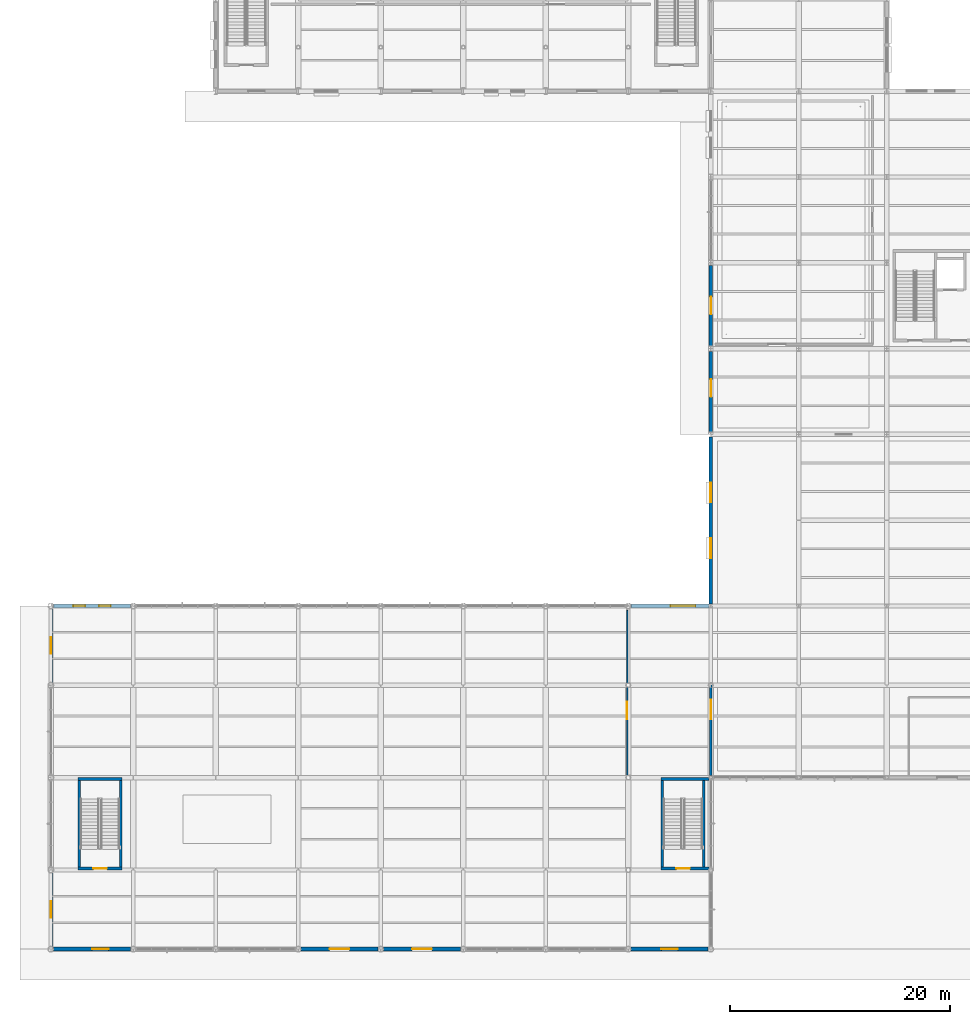
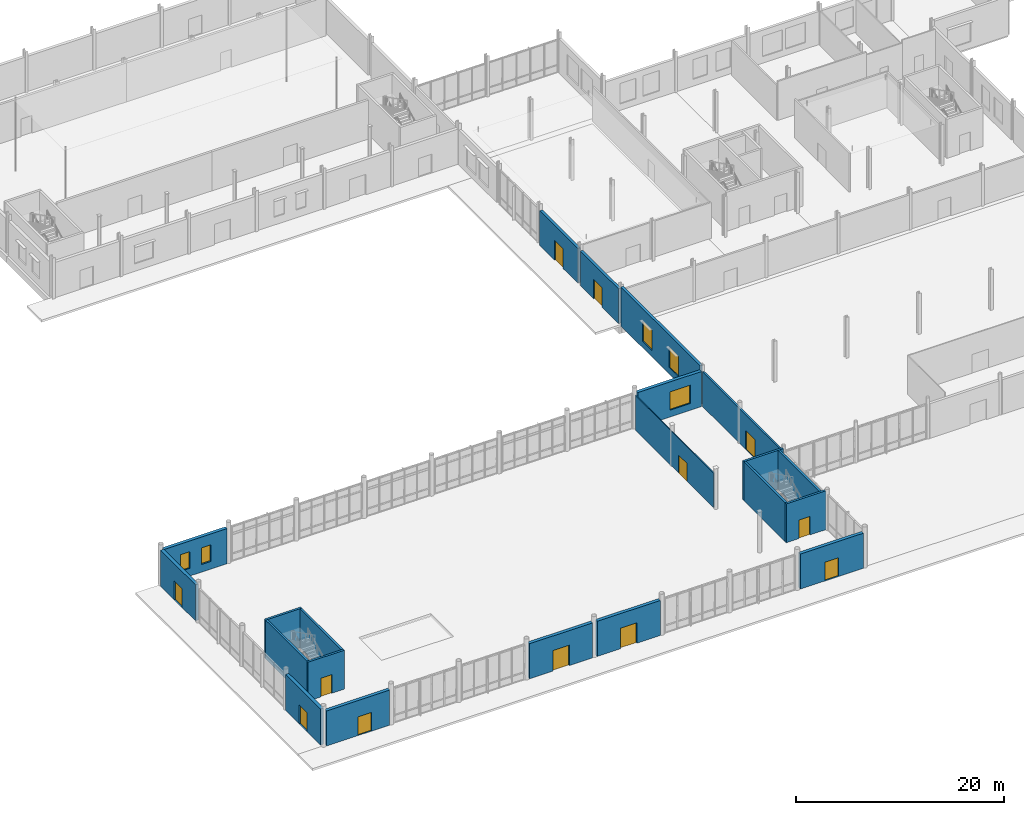
# One storey, part 53 of 82: 21 walls, 12 doors, 5 windows, 17 openings.
"""IFC4 building model written with IfcOpenShell, lengths in metres."""

import ifcopenshell
import ifcopenshell.guid

model = None  # the IFC model being written
_history = None  # IfcOwnerHistory: only IFC2X3 demands one
_inside = {}  # id of a spatial element -> (the spatial element, [elements in it])
_under = {}  # id of a project, library or spatial element -> (it, [spatial elements below it])
_declared = {}  # id of a project -> (the project, [libraries it declares])
_typed = {}  # id of a type object -> (the type object, [elements of that type])
_made_of = {}  # id of a material, layer set ... -> (it, [elements and type objects made of it])


def new_model(schema):
    """Start an empty IFC model of exactly this schema.

    Asked for "IFC4X3", IfcOpenShell would pick the latest addendum, in which some entities
    have other attributes; the version numbers below select the first issue.
    IFC2X3 requires an IfcOwnerHistory on every rooted entity: one is made here for all.
    """
    global model, _history
    if schema == "IFC4X3":
        model = ifcopenshell.file(schema_version=(4, 3, 0, 0))
    else:
        model = ifcopenshell.file(schema=schema)
    _inside.clear()
    _under.clear()
    _declared.clear()
    _typed.clear()
    _made_of.clear()
    _history = None
    if model.schema == "IFC2X3":
        org = make("IfcOrganization", Name="unknown")
        user = make(
            "IfcPersonAndOrganization",
            ThePerson=make("IfcPerson", FamilyName="unknown"),
            TheOrganization=org,
        )
        app = make(
            "IfcApplication",
            ApplicationDeveloper=org,
            Version="unknown",
            ApplicationFullName="unknown",
            ApplicationIdentifier="unknown",
        )
        _history = make(
            "IfcOwnerHistory",
            OwningUser=user,
            OwningApplication=app,
            ChangeAction="ADDED",
            CreationDate=0,
        )
    return model


def make(cls, **values):
    """One entity of the class cls with the attributes given. An attribute that is None is left unset."""
    return model.create_entity(
        cls, **{name: value for name, value in values.items() if value is not None}
    )


def rooted(cls, **values):
    """An entity with a GlobalId (a new one), such as an element, a storey or a relation."""
    return make(cls, GlobalId=ifcopenshell.guid.new(), OwnerHistory=_history, **values)


def si_unit(unit_type, name, prefix=None):
    """IfcSIUnit, for example si_unit("LENGTHUNIT", "METRE", prefix="MILLI")."""
    return make("IfcSIUnit", UnitType=unit_type, Prefix=prefix, Name=name)


def assignment(units):
    """IfcUnitAssignment: the units of a project."""
    return None if units is None else make("IfcUnitAssignment", Units=units)


def point(xyz):
    """IfcCartesianPoint."""
    return None if xyz is None else make("IfcCartesianPoint", Coordinates=xyz)


def direction(xyz):
    """IfcDirection."""
    return None if xyz is None else make("IfcDirection", DirectionRatios=xyz)


def frame(location, z_axis=None, x_axis=None):
    """IfcAxis2Placement3D, a coordinate frame: its origin and axes. An axis left out is left unset."""
    return make(
        "IfcAxis2Placement3D",
        Location=point(location),
        Axis=direction(z_axis),
        RefDirection=direction(x_axis),
    )


def frame_2d(location, x_axis=None):
    """IfcAxis2Placement2D, a coordinate frame in the plane: its origin and x axis."""
    return make(
        "IfcAxis2Placement2D", Location=point(location), RefDirection=direction(x_axis)
    )


def origin():
    """The frame at (0, 0, 0) with its axes left unset."""
    return frame((0.0, 0.0, 0.0))


def place(relative_to, where):
    """IfcLocalPlacement: puts the frame where relative to a parent placement (None: the world)."""
    return make(
        "IfcLocalPlacement", PlacementRelTo=relative_to, RelativePlacement=where
    )


def context(
    kind, dimensions, precision=None, world=None, true_north=None, identifier=None
):
    """IfcGeometricRepresentationContext, for example the 3D "Model" context."""
    return make(
        "IfcGeometricRepresentationContext",
        ContextIdentifier=identifier,
        ContextType=kind,
        CoordinateSpaceDimension=dimensions,
        Precision=precision,
        WorldCoordinateSystem=world,
        TrueNorth=true_north,
    )


def subcontext(parent, identifier, kind, view, scale=None):
    """IfcGeometricRepresentationSubContext, for example "Body" below "Model"."""
    return make(
        "IfcGeometricRepresentationSubContext",
        ContextIdentifier=identifier,
        ContextType=kind,
        ParentContext=parent,
        TargetScale=scale,
        TargetView=view,
    )


def project(units=None, contexts=None):
    """IfcProject with its units and contexts."""
    return rooted(
        "IfcProject",
        Name="project",
        RepresentationContexts=contexts,
        UnitsInContext=assignment(units),
    )


def spatial(cls, under=None, at=None, **own):
    """A site, building, storey or space (cls), placed at a placement, below another one or the project."""
    s = rooted(cls, ObjectPlacement=at, **own)
    if under is not None:
        _under.setdefault(under.id(), (under, []))[1].append(s)
    return s


def profile(cls, at=None, kind="AREA", **sizes):
    """A parametric profile (cls). Its sizes go by their IFC names, for example OverallWidth=200.0."""
    return make(cls, ProfileType=kind, Position=at, **sizes)


def rectangle(**sizes):
    """IfcRectangleProfileDef."""
    return profile("IfcRectangleProfileDef", **sizes)


def extrude(swept, where, along, depth):
    """IfcExtrudedAreaSolid: the profile swept, set in the frame where, extruded along a direction by depth."""
    return make(
        "IfcExtrudedAreaSolid",
        SweptArea=swept,
        Position=where,
        ExtrudedDirection=direction(along),
        Depth=depth,
    )


def shape(context_of_items, identifier, shape_type, items):
    """IfcShapeRepresentation: the items that make up one representation, for example the "Body"."""
    return make(
        "IfcShapeRepresentation",
        ContextOfItems=context_of_items,
        RepresentationIdentifier=identifier,
        RepresentationType=shape_type,
        Items=items,
    )


def material(Name=None, Category=None):
    """IfcMaterial."""
    return make("IfcMaterial", Name=Name, Category=Category)


def layer(
    of_material, thickness, ventilated=None, Name=None, Category=None, Priority=None
):
    """IfcMaterialLayer: one layer of a wall or slab, of a material (None: an air gap)."""
    return make(
        "IfcMaterialLayer",
        Material=of_material,
        LayerThickness=thickness,
        IsVentilated=ventilated,
        Name=Name,
        Category=Category,
        Priority=Priority,
    )


def layer_set(layers, Name=None):
    """IfcMaterialLayerSet."""
    return make("IfcMaterialLayerSet", MaterialLayers=layers, LayerSetName=Name)


def made_of(thing, what):
    """Note that an element or type object is made of a material, layer set ...; save() writes the relation."""
    if what is not None:
        _made_of.setdefault(what.id(), (what, []))[1].append(thing)
    return thing


def type_object(cls, material=None, **own):
    """A type object (cls), such as IfcWallType, which elements share."""
    return made_of(rooted(cls, **own), material)


def element(
    cls,
    number,
    at=None,
    inside=None,
    cuts=None,
    type_object=None,
    material=None,
    context=None,
    identifier="Body",
    shape_type=None,
    held_by="IfcProductDefinitionShape",
    body=None,
    shapes=None,
    **own,
):
    """One element of the class cls, such as IfcWall. Its Tag is "e" and its number.

    at: its placement. inside: the storey or other place that contains it. cuts: it is an
    opening in that element (IfcRelVoidsElement). A single representation is given by context,
    identifier, shape_type and body (its items); several are given by shapes. held_by: the class
    of the entity that holds the representations. save() writes the other relations.
    """
    e = rooted(cls, Tag="e%d" % number, ObjectPlacement=at, **own)
    if body is not None:
        shapes = [shape(context, identifier, shape_type, body)]
    if shapes is not None:
        e.Representation = make(held_by, Representations=shapes)
    if inside is not None:
        _inside.setdefault(inside.id(), (inside, []))[1].append(e)
    if cuts is not None:
        rooted(
            "IfcRelVoidsElement", RelatingBuildingElement=cuts, RelatedOpeningElement=e
        )
    if type_object is not None:
        _typed.setdefault(type_object.id(), (type_object, []))[1].append(e)
    return made_of(e, material)


def fill(opening, filler):
    """IfcRelFillsElement: the door or window that sits in an opening."""
    return rooted(
        "IfcRelFillsElement",
        RelatingOpeningElement=opening,
        RelatedBuildingElement=filler,
    )


def aggregate(whole, parts):
    """IfcRelAggregates: a whole, such as a stair, and the parts it consists of."""
    return rooted("IfcRelAggregates", RelatingObject=whole, RelatedObjects=parts)


def save(model, path):
    """Write the relations noted so far, then the file.

    IfcRelAggregates (storeys below a building ...), IfcRelContainedInSpatialStructure (elements
    in a storey), IfcRelDefinesByType, IfcRelAssociatesMaterial and IfcRelDeclares: one each for
    every whole, place, type object, material and project.
    """
    for whole, parts in _under.values():
        aggregate(whole, parts)
    for where, things in _inside.values():
        rooted(
            "IfcRelContainedInSpatialStructure",
            RelatedElements=things,
            RelatingStructure=where,
        )
    for kind, things in _typed.values():
        rooted("IfcRelDefinesByType", RelatedObjects=things, RelatingType=kind)
    for what, things in _made_of.values():
        rooted("IfcRelAssociatesMaterial", RelatedObjects=things, RelatingMaterial=what)
    for by, libraries in _declared.values():
        rooted("IfcRelDeclares", RelatingContext=by, RelatedDefinitions=libraries)
    model.write(path)


model = new_model("IFC4")

# Units and contexts
model_context = context("Model", 3, precision=1e-05, world=origin(), true_north=direction((0.0, 1.0)))
body_context = subcontext(model_context, "Body", "Model", "MODEL_VIEW")
ifc_project = project(units=[si_unit("LENGTHUNIT", "METRE"), si_unit("AREAUNIT", "SQUARE_METRE"), si_unit("VOLUMEUNIT", "CUBIC_METRE"), si_unit("PLANEANGLEUNIT", "RADIAN"), si_unit("MASSUNIT", "GRAM", prefix="KILO")], contexts=[model_context])

# Site, building, storey
site_placement = place(None, origin())
site = spatial("IfcSite", under=ifc_project, at=site_placement, CompositionType="ELEMENT")
building_placement = place(site_placement, origin())
building = spatial("IfcBuilding", under=site, at=building_placement, Name="Yukiwa Park Conservatory and Herbarium", CompositionType="ELEMENT")
storey_placement = place(building_placement, origin())
storey = spatial("IfcBuildingStorey", under=building, at=storey_placement, Name="L00", CompositionType="ELEMENT", Elevation=0.0)

# Wall, opening, door
ifc_material_1 = material(Name="Concrete C50", Category="concrete")
ifc_layer_1 = layer(ifc_material_1, 0.239990234375)
ifc_layer_set_1 = layer_set([ifc_layer_1], Name="Concrete C50")
wall_type_1 = type_object("IfcWallType", Name="WL-CORE-RC240", PredefinedType="SHEAR", material=ifc_layer_set_1)
wall_1_placement = place(storey_placement, frame((2.4599609375, 7.330078125, 0.0), z_axis=(0.0, 0.0, 1.0), x_axis=(1.0, 0.0, 0.0)))
wall_1 = element("IfcWall", 1, at=wall_1_placement, inside=storey, type_object=wall_type_1, Name="L00 core shear wall 105", PredefinedType="SHEAR", context=body_context, shape_type="SweptSolid", body=[
    extrude(rectangle(XDim=4.030029296875, YDim=0.239990234375, at=frame_2d((2.01513671875, 0.0))), origin(), (0.0, 0.0, 1.0), 4.56005859375),
])
opening_1_placement = place(wall_1_placement, frame((1.4150390625, 0.0, 0.0)))
opening_1 = element("IfcOpeningElement", 2, at=opening_1_placement, cuts=wall_1, Name="Opening SD-01", PredefinedType="OPENING", context=body_context, shape_type="SweptSolid", body=[
    extrude(rectangle(XDim=1.219970703125, YDim=2.179931640625, at=frame_2d((0.60986328125, 1.08984375))), frame((0.0, 0.1298828125, 0.0), z_axis=(0.0, -1.0, 0.0), x_axis=(1.0, 0.0, 0.0)), (0.0, 0.0, 1.0), 0.260009765625),
])
ifc_material_2 = material(Name="Steel Q235B", Category="steel")
door_type_1 = type_object("IfcDoorType", Name="DR-STAIR-FD90-1200", OperationType="SINGLE_SWING_LEFT", PredefinedType="DOOR", material=ifc_material_2)
door_1_placement = place(opening_1_placement, origin())
door_1 = element("IfcDoor", 3, at=door_1_placement, inside=storey, type_object=door_type_1, Name="L00 Stairwell ST-C1 fire door", OperationType="SINGLE_SWING_LEFT", OverallHeight=2.179931640625, OverallWidth=1.219970703125, PredefinedType="DOOR", context=body_context, shape_type="SweptSolid", body=[
    extrude(rectangle(XDim=1.219970703125, YDim=2.179931640625, at=frame_2d((0.60986328125, 1.08984375))), frame((0.0, 0.02490234375, 0.0), z_axis=(0.0, -1.0, 0.0), x_axis=(1.0, 0.0, 0.0)), (0.0, 0.0, 1.0), 0.050048828125),
])
fill(opening_1, door_1)

# Walls
wall_2_placement = place(storey_placement, frame((2.4599609375, 15.469970703125, 0.0), z_axis=(0.0, 0.0, 1.0), x_axis=(1.0, 0.0, 0.0)))
element("IfcWall", 4, at=wall_2_placement, inside=storey, type_object=wall_type_1, Name="L00 core shear wall 106", PredefinedType="SHEAR", context=body_context, shape_type="SweptSolid", body=[
    extrude(rectangle(XDim=4.030029296875, YDim=0.239990234375, at=frame_2d((2.01513671875, 0.0))), origin(), (0.0, 0.0, 1.0), 4.56005859375),
])
for number, where, z_axis, x_axis, name in (
    (5, (2.580078125, 7.449951171875, 0.0), (0.0, 0.0, 1.0), (0.0, 1.0, 0.0), "L00 core shear wall 107"),
    (6, (6.3701171875, 7.449951171875, 0.0), (0.0, 0.0, 1.0), (0.0, 1.0, 0.0), "L00 core shear wall 108"),
):
    element("IfcWall", number, at=place(storey_placement, frame(where, z_axis=z_axis, x_axis=x_axis)), inside=storey, type_object=wall_type_1, Name=name, PredefinedType="SHEAR", context=body_context, shape_type="SweptSolid", body=[
        extrude(rectangle(XDim=7.900146484375, YDim=0.239990234375, at=frame_2d((3.9501953125, 0.0))), origin(), (0.0, 0.0, 1.0), 4.56005859375),
    ])

# Wall, opening, door
wall_3_placement = place(storey_placement, frame((55.4599609375, 7.330078125, 0.0), z_axis=(0.0, 0.0, 1.0), x_axis=(1.0, 0.0, 0.0)))
wall_3 = element("IfcWall", 7, at=wall_3_placement, inside=storey, type_object=wall_type_1, Name="L00 core shear wall 109", PredefinedType="SHEAR", context=body_context, shape_type="SweptSolid", body=[
    extrude(rectangle(XDim=4.380126953125, YDim=0.239990234375, at=frame_2d((2.18994140625, 0.0))), origin(), (0.0, 0.0, 1.0), 4.56005859375),
])
opening_2_placement = place(wall_3_placement, frame((1.4150390625, 0.0, 0.0)))
opening_2 = element("IfcOpeningElement", 8, at=opening_2_placement, cuts=wall_3, Name="Opening SD-01", PredefinedType="OPENING", context=body_context, shape_type="SweptSolid", body=[
    extrude(rectangle(XDim=1.219970703125, YDim=2.179931640625, at=frame_2d((0.60986328125, 1.08984375))), frame((0.0, 0.1298828125, 0.0), z_axis=(0.0, -1.0, 0.0), x_axis=(1.0, 0.0, 0.0)), (0.0, 0.0, 1.0), 0.260009765625),
])
door_2_placement = place(opening_2_placement, origin())
door_2 = element("IfcDoor", 9, at=door_2_placement, inside=storey, type_object=door_type_1, Name="L00 Stairwell ST-C2 fire door", OperationType="SINGLE_SWING_LEFT", OverallHeight=2.179931640625, OverallWidth=1.219970703125, PredefinedType="DOOR", context=body_context, shape_type="SweptSolid", body=[
    extrude(rectangle(XDim=1.219970703125, YDim=2.179931640625, at=frame_2d((0.60986328125, 1.08984375))), frame((0.0, 0.02490234375, 0.0), z_axis=(0.0, -1.0, 0.0), x_axis=(1.0, 0.0, 0.0)), (0.0, 0.0, 1.0), 0.050048828125),
])
fill(opening_2, door_2)

# Walls
wall_4_placement = place(storey_placement, frame((55.4599609375, 15.469970703125, 0.0), z_axis=(0.0, 0.0, 1.0), x_axis=(1.0, 0.0, 0.0)))
element("IfcWall", 10, at=wall_4_placement, inside=storey, type_object=wall_type_1, Name="L00 core shear wall 110", PredefinedType="SHEAR", context=body_context, shape_type="SweptSolid", body=[
    extrude(rectangle(XDim=4.380126953125, YDim=0.239990234375, at=frame_2d((2.18994140625, 0.0))), origin(), (0.0, 0.0, 1.0), 4.56005859375),
])
for number, where, z_axis, x_axis, name in (
    (11, (55.580078125, 7.449951171875, 0.0), (0.0, 0.0, 1.0), (0.0, 1.0, 0.0), "L00 core shear wall 111"),
    (12, (59.3701171875, 7.449951171875, 0.0), (0.0, 0.0, 1.0), (0.0, 1.0, 0.0), "L00 core shear wall 112"),
):
    element("IfcWall", number, at=place(storey_placement, frame(where, z_axis=z_axis, x_axis=x_axis)), inside=storey, type_object=wall_type_1, Name=name, PredefinedType="SHEAR", context=body_context, shape_type="SweptSolid", body=[
        extrude(rectangle(XDim=7.900146484375, YDim=0.239990234375, at=frame_2d((3.9501953125, 0.0))), origin(), (0.0, 0.0, 1.0), 4.56005859375),
    ])

# Wall, opening, door
ifc_material_3 = material(Name="Charred Larch Cladding", Category="wood")
ifc_layer_2 = layer(ifc_material_3, 0.2900390625)
ifc_layer_set_2 = layer_set([ifc_layer_2], Name="Charred Larch Cladding")
wall_type_2 = type_object("IfcWallType", Name="WL-EXT-LARCH-290", PredefinedType="SOLIDWALL", material=ifc_layer_set_2)
wall_5_placement = place(storey_placement, frame((60.0, 62.156005859375, 0.0), z_axis=(0.0, 0.0, 1.0), x_axis=(0.0, -1.0, 0.0)))
wall_5 = element("IfcWall", 13, at=wall_5_placement, inside=storey, type_object=wall_type_2, Name="L00 exterior envelope wall 147", PredefinedType="SOLIDWALL", context=body_context, shape_type="SweptSolid", body=[
    extrude(rectangle(XDim=7.31201171875, YDim=0.2900390625, at=frame_2d((3.656005859375, 0.0))), origin(), (0.0, 0.0, 1.0), 4.06591796875),
])
opening_3_placement = place(wall_5_placement, frame((2.85595703125, 0.0, 0.0)))
opening_3 = element("IfcOpeningElement", 14, at=opening_3_placement, cuts=wall_5, Name="Opening EX-D2", PredefinedType="OPENING", context=body_context, shape_type="SweptSolid", body=[
    extrude(rectangle(XDim=1.60009765625, YDim=2.300048828125, at=frame_2d((0.800048828125, 1.14990234375))), frame((0.0, 0.155029296875, 0.0), z_axis=(0.0, -1.0, 0.0), x_axis=(1.0, 0.0, 0.0)), (0.0, 0.0, 1.0), 0.31005859375),
])
ifc_material_4 = material(Name="Anodised Aluminium", Category="aluminium")
door_type_2 = type_object("IfcDoorType", Name="DR-EXT-1600X2300", OperationType="DOUBLE_DOOR_SINGLE_SWING", PredefinedType="DOOR", material=ifc_material_4)
door_3_placement = place(opening_3_placement, frame((1.60009765625, 0.0, 0.0), z_axis=(0.0, 0.0, 1.0), x_axis=(-1.0, 0.0, 0.0)))
door_3 = element("IfcDoor", 15, at=door_3_placement, inside=storey, type_object=door_type_2, Name="Visitor Centre main forecourt entrance EX-10", OperationType="DOUBLE_DOOR_SINGLE_SWING", OverallHeight=2.300048828125, OverallWidth=1.60009765625, PredefinedType="DOOR", context=body_context, shape_type="SweptSolid", body=[
    extrude(rectangle(XDim=1.60009765625, YDim=2.300048828125, at=frame_2d((0.800048828125, 1.14990234375))), frame((0.0, 0.02490234375, 0.0), z_axis=(0.0, -1.0, 0.0), x_axis=(1.0, 0.0, 0.0)), (0.0, 0.0, 1.0), 0.050048828125),
])
fill(opening_3, door_3)

wall_6_placement = place(storey_placement, frame((60.0, 54.35595703125, 0.0), z_axis=(0.0, 0.0, 1.0), x_axis=(0.0, -1.0, 0.0)))
wall_6 = element("IfcWall", 16, at=wall_6_placement, inside=storey, type_object=wall_type_2, Name="L00 exterior envelope wall 148", PredefinedType="SOLIDWALL", context=body_context, shape_type="SweptSolid", body=[
    extrude(rectangle(XDim=7.3359375, YDim=0.2900390625, at=frame_2d((3.66796875, 0.0))), origin(), (0.0, 0.0, 1.0), 4.06591796875),
])
opening_4_placement = place(wall_6_placement, frame((2.555908203125, 0.0, 0.0)))
opening_4 = element("IfcOpeningElement", 17, at=opening_4_placement, cuts=wall_6, Name="Opening EX-D2", PredefinedType="OPENING", context=body_context, shape_type="SweptSolid", body=[
    extrude(rectangle(XDim=1.60009765625, YDim=2.300048828125, at=frame_2d((0.800048828125, 1.14990234375))), frame((0.0, 0.155029296875, 0.0), z_axis=(0.0, -1.0, 0.0), x_axis=(1.0, 0.0, 0.0)), (0.0, 0.0, 1.0), 0.31005859375),
])
door_4_placement = place(opening_4_placement, frame((1.60009765625, 0.0, 0.0), z_axis=(0.0, 0.0, 1.0), x_axis=(-1.0, 0.0, 0.0)))
door_4 = element("IfcDoor", 18, at=door_4_placement, inside=storey, type_object=door_type_2, Name="Visitor Centre West garden court entrance EX-09", OperationType="DOUBLE_DOOR_SINGLE_SWING", OverallHeight=2.300048828125, OverallWidth=1.60009765625, PredefinedType="DOOR", context=body_context, shape_type="SweptSolid", body=[
    extrude(rectangle(XDim=1.60009765625, YDim=2.300048828125, at=frame_2d((0.800048828125, 1.14990234375))), frame((0.0, 0.02490234375, 0.0), z_axis=(0.0, -1.0, 0.0), x_axis=(1.0, 0.0, 0.0)), (0.0, 0.0, 1.0), 0.050048828125),
])
fill(opening_4, door_4)

# Wall, openings, windows
wall_7_placement = place(storey_placement, frame((60.0, 46.580078125, 0.0), z_axis=(0.0, 0.0, 1.0), x_axis=(0.0, -1.0, 0.0)))
wall_7 = element("IfcWall", 19, at=wall_7_placement, inside=storey, type_object=wall_type_2, Name="L00 exterior envelope wall 149", PredefinedType="SOLIDWALL", context=body_context, shape_type="SweptSolid", body=[
    extrude(rectangle(XDim=15.205078125, YDim=0.2900390625, at=frame_2d((7.6025390625, 0.0))), origin(), (0.0, 0.0, 1.0), 4.56005859375),
])
opening_5_placement = place(wall_7_placement, frame((4.16796875, 0.0, 0.75)))
opening_5 = element("IfcOpeningElement", 20, at=opening_5_placement, cuts=wall_7, Name="Opening W-12", PredefinedType="OPENING", context=body_context, shape_type="SweptSolid", body=[
    extrude(rectangle(XDim=1.800048828125, YDim=2.39990234375, at=frame_2d((0.89990234375, 1.199951171875))), frame((0.0, 0.155029296875, 0.0), z_axis=(0.0, -1.0, 0.0), x_axis=(1.0, 0.0, 0.0)), (0.0, 0.0, 1.0), 0.31005859375),
])
opening_6_placement = place(wall_7_placement, frame((9.237060546875, 0.0, 0.75)))
opening_6 = element("IfcOpeningElement", 21, at=opening_6_placement, cuts=wall_7, Name="Opening W-12", PredefinedType="OPENING", context=body_context, shape_type="SweptSolid", body=[
    extrude(rectangle(XDim=1.800048828125, YDim=2.39990234375, at=frame_2d((0.89990234375, 1.199951171875))), frame((0.0, 0.155029296875, 0.0), z_axis=(0.0, -1.0, 0.0), x_axis=(1.0, 0.0, 0.0)), (0.0, 0.0, 1.0), 0.31005859375),
])
ifc_material_5 = material(Name="Triple Low-E Insulated Glass", Category="glass")
window_type_1 = type_object("IfcWindowType", Name="WN-VS-1800X2400", PartitioningType="SINGLE_PANEL", PredefinedType="WINDOW", material=ifc_material_5)
window_1_placement = place(opening_5_placement, origin())
window_1 = element("IfcWindow", 22, at=window_1_placement, inside=storey, type_object=window_type_1, Name="L00 deep-reveal triple-glazed window 42", OverallHeight=2.39990234375, OverallWidth=1.800048828125, PartitioningType="SINGLE_PANEL", PredefinedType="WINDOW", context=body_context, shape_type="SweptSolid", body=[
    extrude(rectangle(XDim=1.800048828125, YDim=2.39990234375, at=frame_2d((0.89990234375, 1.199951171875))), frame((0.0, 0.030029296875, 0.0), z_axis=(0.0, -1.0, 0.0), x_axis=(1.0, 0.0, 0.0)), (0.0, 0.0, 1.0), 0.06005859375),
])
fill(opening_5, window_1)
window_2_placement = place(opening_6_placement, origin())
window_2 = element("IfcWindow", 23, at=window_2_placement, inside=storey, type_object=window_type_1, Name="L00 deep-reveal triple-glazed window 43", OverallHeight=2.39990234375, OverallWidth=1.800048828125, PartitioningType="SINGLE_PANEL", PredefinedType="WINDOW", context=body_context, shape_type="SweptSolid", body=[
    extrude(rectangle(XDim=1.800048828125, YDim=2.39990234375, at=frame_2d((0.89990234375, 1.199951171875))), frame((0.0, 0.030029296875, 0.0), z_axis=(0.0, -1.0, 0.0), x_axis=(1.0, 0.0, 0.0)), (0.0, 0.0, 1.0), 0.06005859375),
])
fill(opening_6, window_2)

# Wall, opening, door
ifc_material_6 = material(Name="Pale Granite Cladding", Category="masonry")
ifc_layer_3 = layer(ifc_material_6, 0.360107421875)
ifc_layer_set_3 = layer_set([ifc_layer_3], Name="Pale Granite Cladding")
wall_type_3 = type_object("IfcWallType", Name="WL-EXT-PLINTH-360", PredefinedType="SOLIDWALL", material=ifc_layer_set_3)
wall_8_placement = place(storey_placement, frame((0.25390625, 0.0, 0.0), z_axis=(0.0, 0.0, 1.0), x_axis=(1.0, 0.0, 0.0)))
wall_8 = element("IfcWall", 24, at=wall_8_placement, inside=storey, type_object=wall_type_3, Name="L00 exterior envelope wall 90", PredefinedType="SOLIDWALL", context=body_context, shape_type="SweptSolid", body=[
    extrude(rectangle(XDim=6.9921875, YDim=0.360107421875, at=frame_2d((3.49609375, 0.0))), origin(), (0.0, 0.0, 1.0), 4.110107421875),
])
opening_7_placement = place(wall_8_placement, frame((3.49609375, 0.0, 0.0)))
opening_7 = element("IfcOpeningElement", 25, at=opening_7_placement, cuts=wall_8, Name="Opening EX-D3", PredefinedType="OPENING", context=body_context, shape_type="SweptSolid", body=[
    extrude(rectangle(XDim=1.5, YDim=2.199951171875, at=frame_2d((0.75, 1.10009765625))), frame((0.0, 0.18994140625, 0.0), z_axis=(0.0, -1.0, 0.0), x_axis=(1.0, 0.0, 0.0)), (0.0, 0.0, 1.0), 0.380126953125),
])
ifc_material_7 = material(Name="Steel Q235B", Category="steel")
door_type_3 = type_object("IfcDoorType", Name="DR-EXT-1500X2200", OperationType="DOUBLE_DOOR_SINGLE_SWING", PredefinedType="DOOR", material=ifc_material_7)
door_5_placement = place(opening_7_placement, frame((1.5, 0.0, 0.0), z_axis=(0.0, 0.0, 1.0), x_axis=(-1.0, 0.0, 0.0)))
door_5 = element("IfcDoor", 26, at=door_5_placement, inside=storey, type_object=door_type_3, Name="Conservatory SW park exit EX-01", OperationType="DOUBLE_DOOR_SINGLE_SWING", OverallHeight=2.199951171875, OverallWidth=1.5, PredefinedType="DOOR", context=body_context, shape_type="SweptSolid", body=[
    extrude(rectangle(XDim=1.5, YDim=2.199951171875, at=frame_2d((0.75, 1.10009765625))), frame((0.0, 0.02490234375, 0.0), z_axis=(0.0, -1.0, 0.0), x_axis=(1.0, 0.0, 0.0)), (0.0, 0.0, 1.0), 0.050048828125),
])
fill(opening_7, door_5)

wall_9_placement = place(storey_placement, frame((22.75390625, 0.0, 0.0), z_axis=(0.0, 0.0, 1.0), x_axis=(1.0, 0.0, 0.0)))
wall_9 = element("IfcWall", 27, at=wall_9_placement, inside=storey, type_object=wall_type_3, Name="L00 exterior envelope wall 91", PredefinedType="SOLIDWALL", context=body_context, shape_type="SweptSolid", body=[
    extrude(rectangle(XDim=6.9921875, YDim=0.360107421875, at=frame_2d((3.49609375, 0.0))), origin(), (0.0, 0.0, 1.0), 4.110107421875),
])
opening_8_placement = place(wall_9_placement, frame((2.595947265625, 0.0, 0.0)))
opening_8 = element("IfcOpeningElement", 28, at=opening_8_placement, cuts=wall_9, Name="Opening EX-D1", PredefinedType="OPENING", context=body_context, shape_type="SweptSolid", body=[
    extrude(rectangle(XDim=1.800048828125, YDim=2.39990234375, at=frame_2d((0.89990234375, 1.199951171875))), frame((0.0, 0.18994140625, 0.0), z_axis=(0.0, -1.0, 0.0), x_axis=(1.0, 0.0, 0.0)), (0.0, 0.0, 1.0), 0.380126953125),
])
ifc_material_8 = material(Name="Anodised Aluminium", Category="aluminium")
door_type_4 = type_object("IfcDoorType", Name="DR-EXT-1800X2400", OperationType="DOUBLE_DOOR_SINGLE_SWING", PredefinedType="DOOR", material=ifc_material_8)
door_6_placement = place(opening_8_placement, frame((1.800048828125, 0.0, 0.0), z_axis=(0.0, 0.0, 1.0), x_axis=(-1.0, 0.0, 0.0)))
door_6 = element("IfcDoor", 29, at=door_6_placement, inside=storey, type_object=door_type_4, Name="Conservatory South garden entrance EX-02", OperationType="DOUBLE_DOOR_SINGLE_SWING", OverallHeight=2.39990234375, OverallWidth=1.800048828125, PredefinedType="DOOR", context=body_context, shape_type="SweptSolid", body=[
    extrude(rectangle(XDim=1.800048828125, YDim=2.39990234375, at=frame_2d((0.89990234375, 1.199951171875))), frame((0.0, 0.02490234375, 0.0), z_axis=(0.0, -1.0, 0.0), x_axis=(1.0, 0.0, 0.0)), (0.0, 0.0, 1.0), 0.050048828125),
])
fill(opening_8, door_6)

wall_10_placement = place(storey_placement, frame((30.25390625, 0.0, 0.0), z_axis=(0.0, 0.0, 1.0), x_axis=(1.0, 0.0, 0.0)))
wall_10 = element("IfcWall", 30, at=wall_10_placement, inside=storey, type_object=wall_type_3, Name="L00 exterior envelope wall 92", PredefinedType="SOLIDWALL", context=body_context, shape_type="SweptSolid", body=[
    extrude(rectangle(XDim=6.9921875, YDim=0.360107421875, at=frame_2d((3.49609375, 0.0))), origin(), (0.0, 0.0, 1.0), 4.110107421875),
])
opening_9_placement = place(wall_10_placement, frame((2.595947265625, 0.0, 0.0)))
opening_9 = element("IfcOpeningElement", 31, at=opening_9_placement, cuts=wall_10, Name="Opening EX-D1", PredefinedType="OPENING", context=body_context, shape_type="SweptSolid", body=[
    extrude(rectangle(XDim=1.800048828125, YDim=2.39990234375, at=frame_2d((0.89990234375, 1.199951171875))), frame((0.0, 0.18994140625, 0.0), z_axis=(0.0, -1.0, 0.0), x_axis=(1.0, 0.0, 0.0)), (0.0, 0.0, 1.0), 0.380126953125),
])
door_7_placement = place(opening_9_placement, frame((1.800048828125, 0.0, 0.0), z_axis=(0.0, 0.0, 1.0), x_axis=(-1.0, 0.0, 0.0)))
door_7 = element("IfcDoor", 32, at=door_7_placement, inside=storey, type_object=door_type_4, Name="Conservatory South terrace portal EX-03", OperationType="DOUBLE_DOOR_SINGLE_SWING", OverallHeight=2.39990234375, OverallWidth=1.800048828125, PredefinedType="DOOR", context=body_context, shape_type="SweptSolid", body=[
    extrude(rectangle(XDim=1.800048828125, YDim=2.39990234375, at=frame_2d((0.89990234375, 1.199951171875))), frame((0.0, 0.02490234375, 0.0), z_axis=(0.0, -1.0, 0.0), x_axis=(1.0, 0.0, 0.0)), (0.0, 0.0, 1.0), 0.050048828125),
])
fill(opening_9, door_7)

wall_11_placement = place(storey_placement, frame((52.75390625, 0.0, 0.0), z_axis=(0.0, 0.0, 1.0), x_axis=(1.0, 0.0, 0.0)))
wall_11 = element("IfcWall", 33, at=wall_11_placement, inside=storey, type_object=wall_type_3, Name="L00 exterior envelope wall 93", PredefinedType="SOLIDWALL", context=body_context, shape_type="SweptSolid", body=[
    extrude(rectangle(XDim=6.9921875, YDim=0.360107421875, at=frame_2d((3.49609375, 0.0))), origin(), (0.0, 0.0, 1.0), 4.110107421875),
])
opening_10_placement = place(wall_11_placement, frame((2.74609375, 0.0, 0.0)))
opening_10 = element("IfcOpeningElement", 34, at=opening_10_placement, cuts=wall_11, Name="Opening EX-D3", PredefinedType="OPENING", context=body_context, shape_type="SweptSolid", body=[
    extrude(rectangle(XDim=1.5, YDim=2.199951171875, at=frame_2d((0.75, 1.10009765625))), frame((0.0, 0.18994140625, 0.0), z_axis=(0.0, -1.0, 0.0), x_axis=(1.0, 0.0, 0.0)), (0.0, 0.0, 1.0), 0.380126953125),
])
door_8_placement = place(opening_10_placement, frame((1.5, 0.0, 0.0), z_axis=(0.0, 0.0, 1.0), x_axis=(-1.0, 0.0, 0.0)))
door_8 = element("IfcDoor", 35, at=door_8_placement, inside=storey, type_object=door_type_3, Name="Conservatory SE stair exit EX-04", OperationType="DOUBLE_DOOR_SINGLE_SWING", OverallHeight=2.199951171875, OverallWidth=1.5, PredefinedType="DOOR", context=body_context, shape_type="SweptSolid", body=[
    extrude(rectangle(XDim=1.5, YDim=2.199951171875, at=frame_2d((0.75, 1.10009765625))), frame((0.0, 0.02490234375, 0.0), z_axis=(0.0, -1.0, 0.0), x_axis=(1.0, 0.0, 0.0)), (0.0, 0.0, 1.0), 0.050048828125),
])
fill(opening_10, door_8)

# Wall, opening, window
wall_12_placement = place(storey_placement, frame((59.824951171875, 31.199951171875, 0.0), z_axis=(0.0, 0.0, 1.0), x_axis=(-1.0, 0.0, 0.0)))
wall_12 = element("IfcWall", 36, at=wall_12_placement, inside=storey, type_object=wall_type_3, Name="L00 exterior envelope wall 150", PredefinedType="SOLIDWALL", context=body_context, shape_type="SweptSolid", body=[
    extrude(rectangle(XDim=7.071044921875, YDim=0.360107421875, at=frame_2d((3.53564453125, 0.0))), origin(), (0.0, 0.0, 1.0), 4.110107421875),
])
opening_11_placement = place(wall_12_placement, frame((1.23193359375, 0.0, 0.800048828125)))
opening_11 = element("IfcOpeningElement", 37, at=opening_11_placement, cuts=wall_12, Name="Opening W-26", PredefinedType="OPENING", context=body_context, shape_type="SweptSolid", body=[
    extrude(rectangle(XDim=2.25, YDim=2.14990234375, at=frame_2d((1.125, 1.074951171875))), frame((0.0, 0.18994140625, 0.0), z_axis=(0.0, -1.0, 0.0), x_axis=(1.0, 0.0, 0.0)), (0.0, 0.0, 1.0), 0.380126953125),
])
ifc_material_9 = material(Name="Triple Low-E Insulated Glass", Category="glass")
window_type_2 = type_object("IfcWindowType", Name="WN-TW-2250X2150", PartitioningType="SINGLE_PANEL", PredefinedType="WINDOW", material=ifc_material_9)
window_3_placement = place(opening_11_placement, origin())
window_3 = element("IfcWindow", 38, at=window_3_placement, inside=storey, type_object=window_type_2, Name="L00 deep-reveal triple-glazed window 44", OverallHeight=2.14990234375, OverallWidth=2.25, PartitioningType="SINGLE_PANEL", PredefinedType="WINDOW", context=body_context, shape_type="SweptSolid", body=[
    extrude(rectangle(XDim=2.25, YDim=2.14990234375, at=frame_2d((1.125, 1.074951171875))), frame((0.0, 0.030029296875, 0.0), z_axis=(0.0, -1.0, 0.0), x_axis=(1.0, 0.0, 0.0)), (0.0, 0.0, 1.0), 0.06005859375),
])
fill(opening_11, window_3)

# Wall, openings, windows
wall_13_placement = place(storey_placement, frame((7.24609375, 31.199951171875, 0.0), z_axis=(0.0, 0.0, 1.0), x_axis=(-1.0, 0.0, 0.0)))
wall_13 = element("IfcWall", 39, at=wall_13_placement, inside=storey, type_object=wall_type_3, Name="L00 exterior envelope wall 151", PredefinedType="SOLIDWALL", context=body_context, shape_type="SweptSolid", body=[
    extrude(rectangle(XDim=6.9921875, YDim=0.360107421875, at=frame_2d((3.49609375, 0.0))), origin(), (0.0, 0.0, 1.0), 4.110107421875),
])
opening_12_placement = place(wall_13_placement, frame((1.805908203125, 0.0, 0.89990234375)))
opening_12 = element("IfcOpeningElement", 40, at=opening_12_placement, cuts=wall_13, Name="Opening W-02", PredefinedType="OPENING", context=body_context, shape_type="SweptSolid", body=[
    extrude(rectangle(XDim=1.050048828125, YDim=1.949951171875, at=frame_2d((0.52490234375, 0.97509765625))), frame((0.0, 0.18994140625, 0.0), z_axis=(0.0, -1.0, 0.0), x_axis=(1.0, 0.0, 0.0)), (0.0, 0.0, 1.0), 0.380126953125),
])
opening_13_placement = place(wall_13_placement, frame((4.135986328125, 0.0, 0.89990234375)))
opening_13 = element("IfcOpeningElement", 41, at=opening_13_placement, cuts=wall_13, Name="Opening W-02", PredefinedType="OPENING", context=body_context, shape_type="SweptSolid", body=[
    extrude(rectangle(XDim=1.050048828125, YDim=1.949951171875, at=frame_2d((0.52490234375, 0.97509765625))), frame((0.0, 0.18994140625, 0.0), z_axis=(0.0, -1.0, 0.0), x_axis=(1.0, 0.0, 0.0)), (0.0, 0.0, 1.0), 0.380126953125),
])
ifc_material_10 = material(Name="Triple Low-E Insulated Glass", Category="glass")
window_type_3 = type_object("IfcWindowType", Name="WN-TW-1050X1950", PartitioningType="SINGLE_PANEL", PredefinedType="WINDOW", material=ifc_material_10)
window_4_placement = place(opening_12_placement, origin())
window_4 = element("IfcWindow", 42, at=window_4_placement, inside=storey, type_object=window_type_3, Name="L00 deep-reveal triple-glazed window 45", OverallHeight=1.949951171875, OverallWidth=1.050048828125, PartitioningType="SINGLE_PANEL", PredefinedType="WINDOW", context=body_context, shape_type="SweptSolid", body=[
    extrude(rectangle(XDim=1.050048828125, YDim=1.949951171875, at=frame_2d((0.52490234375, 0.97509765625))), frame((0.0, 0.030029296875, 0.0), z_axis=(0.0, -1.0, 0.0), x_axis=(1.0, 0.0, 0.0)), (0.0, 0.0, 1.0), 0.06005859375),
])
fill(opening_12, window_4)
window_5_placement = place(opening_13_placement, origin())
window_5 = element("IfcWindow", 43, at=window_5_placement, inside=storey, type_object=window_type_3, Name="L00 deep-reveal triple-glazed window 46", OverallHeight=1.949951171875, OverallWidth=1.050048828125, PartitioningType="SINGLE_PANEL", PredefinedType="WINDOW", context=body_context, shape_type="SweptSolid", body=[
    extrude(rectangle(XDim=1.050048828125, YDim=1.949951171875, at=frame_2d((0.52490234375, 0.97509765625))), frame((0.0, 0.030029296875, 0.0), z_axis=(0.0, -1.0, 0.0), x_axis=(1.0, 0.0, 0.0)), (0.0, 0.0, 1.0), 0.06005859375),
])
fill(opening_13, window_5)

# Wall, opening, door
wall_14_placement = place(storey_placement, frame((0.0, 30.946044921875, 0.0), z_axis=(0.0, 0.0, 1.0), x_axis=(0.0, -1.0, 0.0)))
wall_14 = element("IfcWall", 44, at=wall_14_placement, inside=storey, type_object=wall_type_3, Name="L00 exterior envelope wall 152", PredefinedType="SOLIDWALL", context=body_context, shape_type="SweptSolid", body=[
    extrude(rectangle(XDim=6.692138671875, YDim=0.360107421875, at=frame_2d((3.34619140625, 0.0))), origin(), (0.0, 0.0, 1.0), 4.219970703125),
])
opening_14_placement = place(wall_14_placement, frame((2.595947265625, 0.0, 0.0)))
opening_14 = element("IfcOpeningElement", 45, at=opening_14_placement, cuts=wall_14, Name="Opening EX-D3", PredefinedType="OPENING", context=body_context, shape_type="SweptSolid", body=[
    extrude(rectangle(XDim=1.5, YDim=2.199951171875, at=frame_2d((0.75, 1.10009765625))), frame((0.0, 0.18994140625, 0.0), z_axis=(0.0, -1.0, 0.0), x_axis=(1.0, 0.0, 0.0)), (0.0, 0.0, 1.0), 0.380126953125),
])
door_9_placement = place(opening_14_placement, frame((1.5, 0.0, 0.0), z_axis=(0.0, 0.0, 1.0), x_axis=(-1.0, 0.0, 0.0)))
door_9 = element("IfcDoor", 46, at=door_9_placement, inside=storey, type_object=door_type_3, Name="Conservatory NW garden exit EX-06", OperationType="DOUBLE_DOOR_SINGLE_SWING", OverallHeight=2.199951171875, OverallWidth=1.5, PredefinedType="DOOR", context=body_context, shape_type="SweptSolid", body=[
    extrude(rectangle(XDim=1.5, YDim=2.199951171875, at=frame_2d((0.75, 1.10009765625))), frame((0.0, 0.02490234375, 0.0), z_axis=(0.0, -1.0, 0.0), x_axis=(1.0, 0.0, 0.0)), (0.0, 0.0, 1.0), 0.050048828125),
])
fill(opening_14, door_9)

wall_15_placement = place(storey_placement, frame((0.0, 6.946044921875, 0.0), z_axis=(0.0, 0.0, 1.0), x_axis=(0.0, -1.0, 0.0)))
wall_15 = element("IfcWall", 47, at=wall_15_placement, inside=storey, type_object=wall_type_3, Name="L00 exterior envelope wall 153", PredefinedType="SOLIDWALL", context=body_context, shape_type="SweptSolid", body=[
    extrude(rectangle(XDim=6.692138671875, YDim=0.360107421875, at=frame_2d((3.34619140625, 0.0))), origin(), (0.0, 0.0, 1.0), 4.219970703125),
])
opening_15_placement = place(wall_15_placement, frame((2.595947265625, 0.0, 0.0)))
opening_15 = element("IfcOpeningElement", 48, at=opening_15_placement, cuts=wall_15, Name="Opening EX-D3", PredefinedType="OPENING", context=body_context, shape_type="SweptSolid", body=[
    extrude(rectangle(XDim=1.5, YDim=2.199951171875, at=frame_2d((0.75, 1.10009765625))), frame((0.0, 0.18994140625, 0.0), z_axis=(0.0, -1.0, 0.0), x_axis=(1.0, 0.0, 0.0)), (0.0, 0.0, 1.0), 0.380126953125),
])
door_10_placement = place(opening_15_placement, frame((1.5, 0.0, 0.0), z_axis=(0.0, 0.0, 1.0), x_axis=(-1.0, 0.0, 0.0)))
door_10 = element("IfcDoor", 49, at=door_10_placement, inside=storey, type_object=door_type_3, Name="Conservatory West park walk exit EX-05", OperationType="DOUBLE_DOOR_SINGLE_SWING", OverallHeight=2.199951171875, OverallWidth=1.5, PredefinedType="DOOR", context=body_context, shape_type="SweptSolid", body=[
    extrude(rectangle(XDim=1.5, YDim=2.199951171875, at=frame_2d((0.75, 1.10009765625))), frame((0.0, 0.02490234375, 0.0), z_axis=(0.0, -1.0, 0.0), x_axis=(1.0, 0.0, 0.0)), (0.0, 0.0, 1.0), 0.050048828125),
])
fill(opening_15, door_10)

ifc_material_11 = material(Name="Gypsum Board Partition", Category="gypsum")
ifc_layer_4 = layer(ifc_material_11, 0.199951171875)
ifc_layer_set_4 = layer_set([ifc_layer_4], Name="Gypsum Board Partition")
wall_type_4 = type_object("IfcWallType", Name="WL-PART-FIRE-200", PredefinedType="SOLIDWALL", material=ifc_layer_set_4)
wall_16_placement = place(storey_placement, frame((60.0, 15.800048828125, 0.0), z_axis=(0.0, 0.0, 1.0), x_axis=(0.0, 1.0, 0.0)))
wall_16 = element("IfcWall", 50, at=wall_16_placement, inside=storey, type_object=wall_type_4, Name="L00 interior partition wall 129", PredefinedType="SOLIDWALL", context=body_context, shape_type="SweptSolid", body=[
    extrude(rectangle(XDim=15.199951171875, YDim=0.199951171875, at=frame_2d((7.60009765625, 0.0))), origin(), (0.0, 0.0, 1.0), 4.06005859375),
])
opening_16_placement = place(wall_16_placement, frame((5.092041015625, 0.0, 0.0)))
opening_16 = element("IfcOpeningElement", 51, at=opening_16_placement, cuts=wall_16, Name="Opening GD-18", PredefinedType="OPENING", context=body_context, shape_type="SweptSolid", body=[
    extrude(rectangle(XDim=1.800048828125, YDim=2.199951171875, at=frame_2d((0.89990234375, 1.10009765625))), frame((0.0, 0.10986328125, 0.0), z_axis=(0.0, -1.0, 0.0), x_axis=(1.0, 0.0, 0.0)), (0.0, 0.0, 1.0), 0.219970703125),
])
ifc_material_12 = material(Name="Laminated Tempered Safety Glass", Category="glass")
door_type_5 = type_object("IfcDoorType", Name="DR-GLZ-1800", OperationType="DOUBLE_DOOR_SINGLE_SWING", PredefinedType="DOOR", material=ifc_material_12)
door_11_placement = place(opening_16_placement, origin())
door_11 = element("IfcDoor", 52, at=door_11_placement, inside=storey, type_object=door_type_5, Name="L00 Acclimatisation gallery to Concourse double door", OperationType="DOUBLE_DOOR_SINGLE_SWING", OverallHeight=2.199951171875, OverallWidth=1.800048828125, PredefinedType="DOOR", context=body_context, shape_type="SweptSolid", body=[
    extrude(rectangle(XDim=1.800048828125, YDim=2.199951171875, at=frame_2d((0.89990234375, 1.10009765625))), frame((0.0, 0.02490234375, 0.0), z_axis=(0.0, -1.0, 0.0), x_axis=(1.0, 0.0, 0.0)), (0.0, 0.0, 1.0), 0.050048828125),
])
fill(opening_16, door_11)

ifc_material_13 = material(Name="Laminated Tempered Safety Glass", Category="glass")
ifc_layer_5 = layer(ifc_material_13, 0.10009765625)
ifc_layer_set_5 = layer_set([ifc_layer_5], Name="Laminated Tempered Safety Glass")
wall_type_5 = type_object("IfcWallType", Name="WL-PART-GLZ-150", PredefinedType="PARTITIONING", material=ifc_layer_set_5)
wall_17_placement = place(storey_placement, frame((52.39990234375, 15.800048828125, 0.0), z_axis=(0.0, 0.0, 1.0), x_axis=(0.0, 1.0, 0.0)))
wall_17 = element("IfcWall", 53, at=wall_17_placement, inside=storey, type_object=wall_type_5, Name="L00 interior partition wall 128", PredefinedType="PARTITIONING", context=body_context, shape_type="SweptSolid", body=[
    extrude(rectangle(XDim=15.0, YDim=0.10009765625, at=frame_2d((7.5, 0.0))), origin(), (0.0, 0.0, 1.0), 4.06005859375),
])
opening_17_placement = place(wall_17_placement, frame((5.092041015625, 0.0, 0.0)))
opening_17 = element("IfcOpeningElement", 54, at=opening_17_placement, cuts=wall_17, Name="Opening GD-16", PredefinedType="OPENING", context=body_context, shape_type="SweptSolid", body=[
    extrude(rectangle(XDim=1.60009765625, YDim=2.10009765625, at=frame_2d((0.800048828125, 1.050048828125))), frame((0.0, 0.06005859375, 0.0), z_axis=(0.0, -1.0, 0.0), x_axis=(1.0, 0.0, 0.0)), (0.0, 0.0, 1.0), 0.1201171875),
])
ifc_material_14 = material(Name="Laminated Tempered Safety Glass", Category="glass")
door_type_6 = type_object("IfcDoorType", Name="DR-GLZ-1600", OperationType="DOUBLE_DOOR_SINGLE_SWING", PredefinedType="DOOR", material=ifc_material_14)
door_12_placement = place(opening_17_placement, origin())
door_12 = element("IfcDoor", 55, at=door_12_placement, inside=storey, type_object=door_type_6, Name="L00 Conservatory to Acclimatisation gallery door", OperationType="DOUBLE_DOOR_SINGLE_SWING", OverallHeight=2.10009765625, OverallWidth=1.60009765625, PredefinedType="DOOR", context=body_context, shape_type="SweptSolid", body=[
    extrude(rectangle(XDim=1.60009765625, YDim=2.10009765625, at=frame_2d((0.800048828125, 1.050048828125))), frame((0.0, 0.02490234375, 0.0), z_axis=(0.0, -1.0, 0.0), x_axis=(1.0, 0.0, 0.0)), (0.0, 0.0, 1.0), 0.050048828125),
])
fill(opening_17, door_12)

save(model, "model.ifc")
